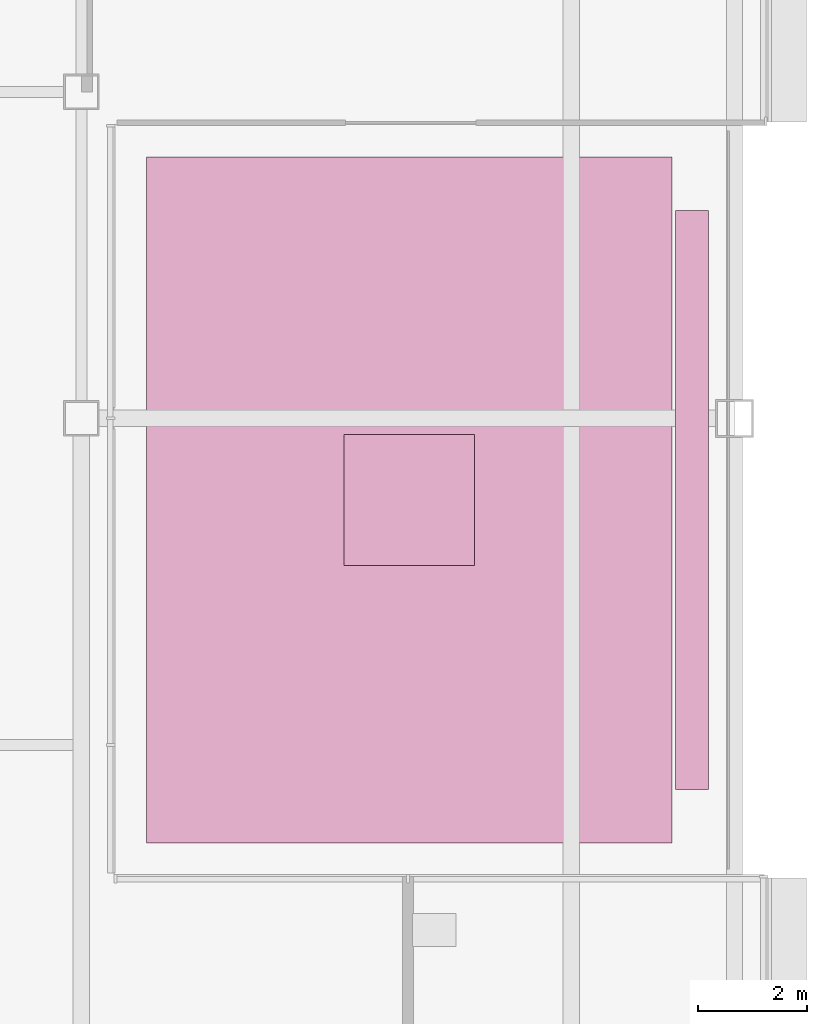
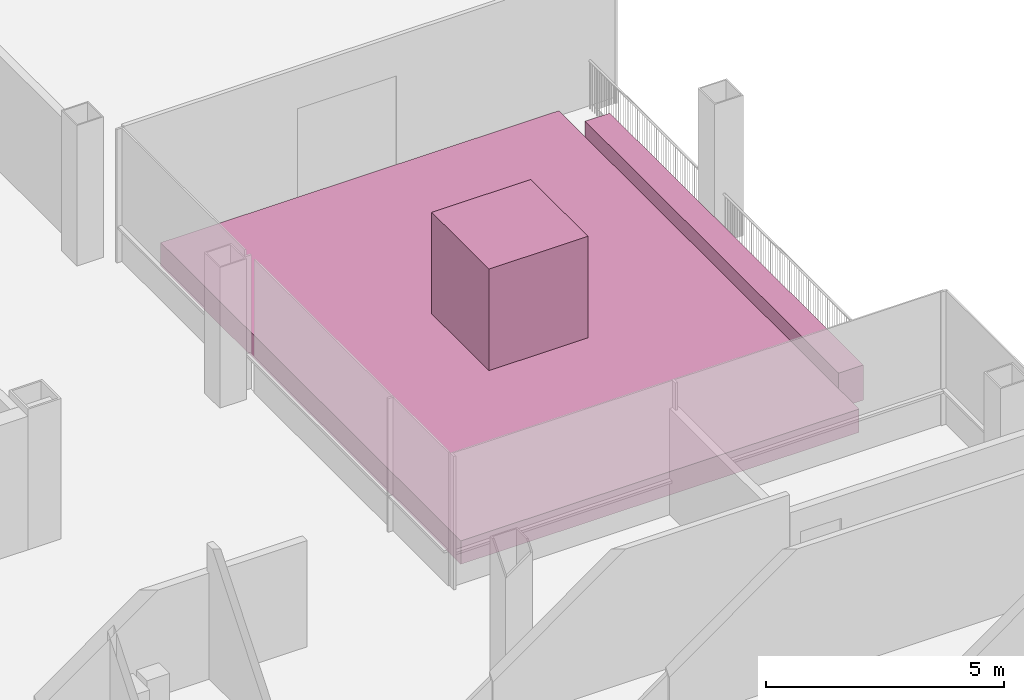
# One storey, part 27 of 27: 3 furniture elements.
"""IFC4 building model written with IfcOpenShell, lengths in metres."""

from ifc_helpers import new_model, si_unit, direction, frame, origin, origin_2d, place, context, subcontext, project, spatial, rectangle, extrude, material, type_object, element, save


model = new_model("IFC4")

# Units and contexts
model_context = context("Model", 3, precision=1e-05, world=origin(), true_north=direction((0.0, 1.0)))
body_context = subcontext(model_context, "Body", "Model", "MODEL_VIEW")
ifc_project = project(units=[si_unit("LENGTHUNIT", "METRE"), si_unit("AREAUNIT", "SQUARE_METRE"), si_unit("VOLUMEUNIT", "CUBIC_METRE"), si_unit("PLANEANGLEUNIT", "RADIAN"), si_unit("MASSUNIT", "GRAM", prefix="KILO")], contexts=[model_context])

# Site, building, storey
site_placement = place(None, origin())
site = spatial("IfcSite", under=ifc_project, at=site_placement, CompositionType="ELEMENT")
building_placement = place(site_placement, origin())
building = spatial("IfcBuilding", under=site, at=building_placement, Name="Sorahane Residences", CompositionType="ELEMENT")
storey_placement = place(building_placement, frame((0.0, 0.0, 167.199951171875)))
storey = spatial("IfcBuildingStorey", under=building, at=storey_placement, Name="L38", CompositionType="ELEMENT", Elevation=167.199951171875)

# Furniture
ifc_material_1 = material(Name="Planting soil with shrubs in a steel-framed bed", Category="steel")
furniture_type_1 = type_object("IfcFurnitureType", Name="PLANTER bed black steel frame with soil 9650x12600", AssemblyPlace="NOTDEFINED", PredefinedType="NOTDEFINED", material=ifc_material_1)
furniture_1_placement = place(storey_placement, frame((54.02490234375, 22.5, 0.0), z_axis=(0.0, 0.0, 1.0), x_axis=(1.0, 0.0, 0.0)))
element("IfcFurniture", 1, at=furniture_1_placement, inside=storey, type_object=furniture_type_1, Name="PLANTER bed L38.1.1", PredefinedType="NOTDEFINED", context=body_context, shape_type="SweptSolid", body=[
    extrude(rectangle(XDim=9.64990234375, YDim=12.60009765625, at=origin_2d()), origin(), (0.0, 0.0, 1.0), 0.60009765625),
])
ifc_material_2 = material(Name="Planting soil with hedge in a steel-framed trough", Category="steel")
furniture_type_2 = type_object("IfcFurnitureType", Name="PLANTER hedge strip black steel frame with soil", AssemblyPlace="NOTDEFINED", PredefinedType="NOTDEFINED", material=ifc_material_2)
furniture_2_placement = place(storey_placement, frame((59.219970703125, 22.5, 0.0), z_axis=(0.0, 0.0, 1.0), x_axis=(0.0, -1.0, 0.0)))
element("IfcFurniture", 2, at=furniture_2_placement, inside=storey, type_object=furniture_type_2, Name="PLANTER hedge L38.1.1", PredefinedType="NOTDEFINED", context=body_context, shape_type="SweptSolid", body=[
    extrude(rectangle(XDim=10.639892578125, YDim=0.60009765625, at=origin_2d()), origin(), (0.0, 0.0, 1.0), 0.89990234375),
])
ifc_material_3 = material(Name="Green foliage shrub planting")
furniture_type_3 = type_object("IfcFurnitureType", Name="PLANTER shrub planting green foliage", AssemblyPlace="NOTDEFINED", PredefinedType="NOTDEFINED", material=ifc_material_3)
furniture_3_placement = place(storey_placement, frame((54.02490234375, 22.5, 0.60009765625), z_axis=(0.0, 0.0, 1.0), x_axis=(1.0, 0.0, 0.0)))
element("IfcFurniture", 3, at=furniture_3_placement, inside=storey, type_object=furniture_type_3, Name="PLANTER shrub L38.1.1", PredefinedType="NOTDEFINED", context=body_context, shape_type="SweptSolid", body=[
    extrude(rectangle(XDim=2.39990234375, YDim=2.39990234375, at=origin_2d()), origin(), (0.0, 0.0, 1.0), 2.60009765625),
])

save(model, "model.ifc")
